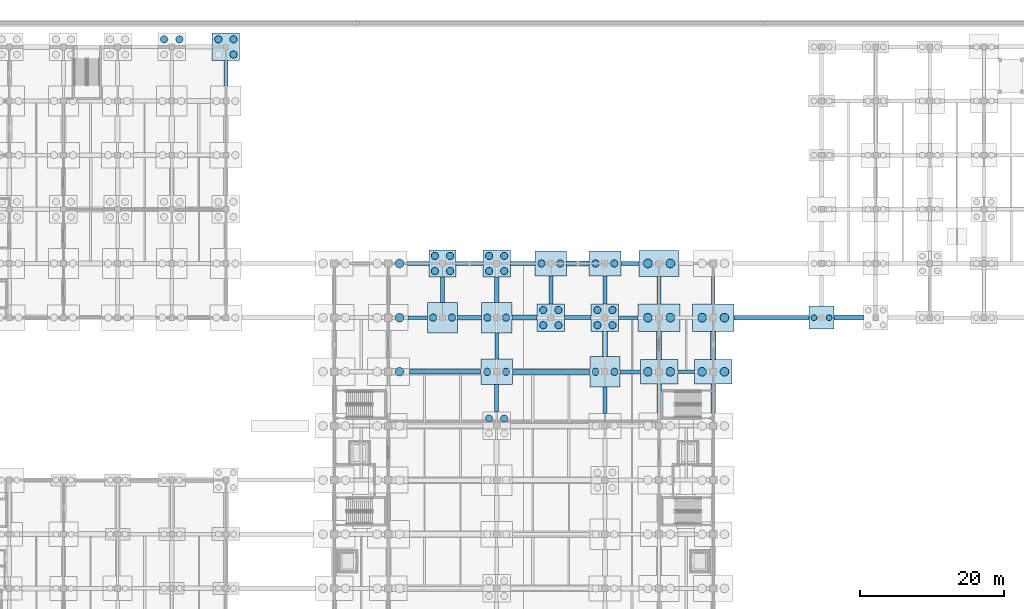
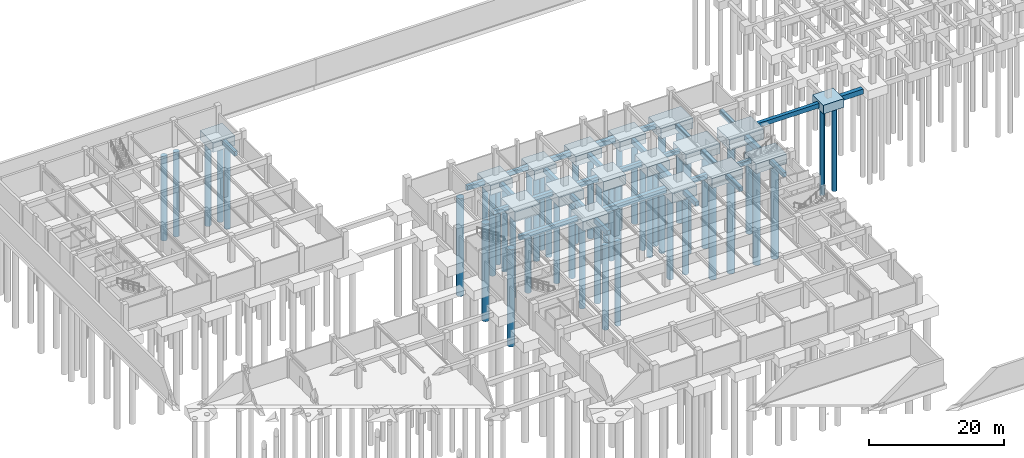
# One storey, part 8 of 38: 50 piles, 48 footings.
"""IFC4 building model written with IfcOpenShell, lengths in metres."""

import ifcopenshell
import ifcopenshell.guid

model = None  # the IFC model being written
_history = None  # IfcOwnerHistory: only IFC2X3 demands one
_inside = {}  # id of a spatial element -> (the spatial element, [elements in it])
_under = {}  # id of a project, library or spatial element -> (it, [spatial elements below it])
_declared = {}  # id of a project -> (the project, [libraries it declares])
_typed = {}  # id of a type object -> (the type object, [elements of that type])
_made_of = {}  # id of a material, layer set ... -> (it, [elements and type objects made of it])


def new_model(schema):
    """Start an empty IFC model of exactly this schema.

    Asked for "IFC4X3", IfcOpenShell would pick the latest addendum, in which some entities
    have other attributes; the version numbers below select the first issue.
    IFC2X3 requires an IfcOwnerHistory on every rooted entity: one is made here for all.
    """
    global model, _history
    if schema == "IFC4X3":
        model = ifcopenshell.file(schema_version=(4, 3, 0, 0))
    else:
        model = ifcopenshell.file(schema=schema)
    _inside.clear()
    _under.clear()
    _declared.clear()
    _typed.clear()
    _made_of.clear()
    _history = None
    if model.schema == "IFC2X3":
        org = make("IfcOrganization", Name="unknown")
        user = make(
            "IfcPersonAndOrganization",
            ThePerson=make("IfcPerson", FamilyName="unknown"),
            TheOrganization=org,
        )
        app = make(
            "IfcApplication",
            ApplicationDeveloper=org,
            Version="unknown",
            ApplicationFullName="unknown",
            ApplicationIdentifier="unknown",
        )
        _history = make(
            "IfcOwnerHistory",
            OwningUser=user,
            OwningApplication=app,
            ChangeAction="ADDED",
            CreationDate=0,
        )
    return model


def make(cls, **values):
    """One entity of the class cls with the attributes given. An attribute that is None is left unset."""
    return model.create_entity(
        cls, **{name: value for name, value in values.items() if value is not None}
    )


def rooted(cls, **values):
    """An entity with a GlobalId (a new one), such as an element, a storey or a relation."""
    return make(cls, GlobalId=ifcopenshell.guid.new(), OwnerHistory=_history, **values)


def si_unit(unit_type, name, prefix=None):
    """IfcSIUnit, for example si_unit("LENGTHUNIT", "METRE", prefix="MILLI")."""
    return make("IfcSIUnit", UnitType=unit_type, Prefix=prefix, Name=name)


def assignment(units):
    """IfcUnitAssignment: the units of a project."""
    return None if units is None else make("IfcUnitAssignment", Units=units)


def point(xyz):
    """IfcCartesianPoint."""
    return None if xyz is None else make("IfcCartesianPoint", Coordinates=xyz)


def direction(xyz):
    """IfcDirection."""
    return None if xyz is None else make("IfcDirection", DirectionRatios=xyz)


def frame(location, z_axis=None, x_axis=None):
    """IfcAxis2Placement3D, a coordinate frame: its origin and axes. An axis left out is left unset."""
    return make(
        "IfcAxis2Placement3D",
        Location=point(location),
        Axis=direction(z_axis),
        RefDirection=direction(x_axis),
    )


def frame_2d(location, x_axis=None):
    """IfcAxis2Placement2D, a coordinate frame in the plane: its origin and x axis."""
    return make(
        "IfcAxis2Placement2D", Location=point(location), RefDirection=direction(x_axis)
    )


def origin():
    """The frame at (0, 0, 0) with its axes left unset."""
    return frame((0.0, 0.0, 0.0))


def origin_2d():
    """The frame at (0, 0) in the plane with its x axis left unset."""
    return frame_2d((0.0, 0.0))


def place(relative_to, where):
    """IfcLocalPlacement: puts the frame where relative to a parent placement (None: the world)."""
    return make(
        "IfcLocalPlacement", PlacementRelTo=relative_to, RelativePlacement=where
    )


def context(
    kind, dimensions, precision=None, world=None, true_north=None, identifier=None
):
    """IfcGeometricRepresentationContext, for example the 3D "Model" context."""
    return make(
        "IfcGeometricRepresentationContext",
        ContextIdentifier=identifier,
        ContextType=kind,
        CoordinateSpaceDimension=dimensions,
        Precision=precision,
        WorldCoordinateSystem=world,
        TrueNorth=true_north,
    )


def subcontext(parent, identifier, kind, view, scale=None):
    """IfcGeometricRepresentationSubContext, for example "Body" below "Model"."""
    return make(
        "IfcGeometricRepresentationSubContext",
        ContextIdentifier=identifier,
        ContextType=kind,
        ParentContext=parent,
        TargetScale=scale,
        TargetView=view,
    )


def project(units=None, contexts=None):
    """IfcProject with its units and contexts."""
    return rooted(
        "IfcProject",
        Name="project",
        RepresentationContexts=contexts,
        UnitsInContext=assignment(units),
    )


def spatial(cls, under=None, at=None, **own):
    """A site, building, storey or space (cls), placed at a placement, below another one or the project."""
    s = rooted(cls, ObjectPlacement=at, **own)
    if under is not None:
        _under.setdefault(under.id(), (under, []))[1].append(s)
    return s


def polyline(points):
    """IfcPolyline through the points."""
    return make("IfcPolyline", Points=[point(p) for p in points])


def profile(cls, at=None, kind="AREA", **sizes):
    """A parametric profile (cls). Its sizes go by their IFC names, for example OverallWidth=200.0."""
    return make(cls, ProfileType=kind, Position=at, **sizes)


def rectangle(**sizes):
    """IfcRectangleProfileDef."""
    return profile("IfcRectangleProfileDef", **sizes)


def circle(**sizes):
    """IfcCircleProfileDef."""
    return profile("IfcCircleProfileDef", **sizes)


def outline(outer, holes=None, kind="AREA"):
    """IfcArbitraryClosedProfileDef: a profile drawn as a closed curve; with holes, ...WithVoids."""
    if holes is None:
        return make("IfcArbitraryClosedProfileDef", ProfileType=kind, OuterCurve=outer)
    return make(
        "IfcArbitraryProfileDefWithVoids",
        ProfileType=kind,
        OuterCurve=outer,
        InnerCurves=holes,
    )


def extrude(swept, where, along, depth):
    """IfcExtrudedAreaSolid: the profile swept, set in the frame where, extruded along a direction by depth."""
    return make(
        "IfcExtrudedAreaSolid",
        SweptArea=swept,
        Position=where,
        ExtrudedDirection=direction(along),
        Depth=depth,
    )


def shape(context_of_items, identifier, shape_type, items):
    """IfcShapeRepresentation: the items that make up one representation, for example the "Body"."""
    return make(
        "IfcShapeRepresentation",
        ContextOfItems=context_of_items,
        RepresentationIdentifier=identifier,
        RepresentationType=shape_type,
        Items=items,
    )


def material(Name=None, Category=None):
    """IfcMaterial."""
    return make("IfcMaterial", Name=Name, Category=Category)


def material_profile(
    of_material, cross_section, Name=None, Category=None, Priority=None
):
    """IfcMaterialProfile: a cross section and its material."""
    return make(
        "IfcMaterialProfile",
        Name=Name,
        Material=of_material,
        Profile=cross_section,
        Priority=Priority,
        Category=Category,
    )


def profile_set(profiles, Name=None, composite=None):
    """IfcMaterialProfileSet."""
    return make(
        "IfcMaterialProfileSet",
        Name=Name,
        MaterialProfiles=profiles,
        CompositeProfile=composite,
    )


def made_of(thing, what):
    """Note that an element or type object is made of a material, layer set ...; save() writes the relation."""
    if what is not None:
        _made_of.setdefault(what.id(), (what, []))[1].append(thing)
    return thing


def type_object(cls, material=None, **own):
    """A type object (cls), such as IfcWallType, which elements share."""
    return made_of(rooted(cls, **own), material)


def element(
    cls,
    number,
    at=None,
    inside=None,
    cuts=None,
    type_object=None,
    material=None,
    context=None,
    identifier="Body",
    shape_type=None,
    held_by="IfcProductDefinitionShape",
    body=None,
    shapes=None,
    **own,
):
    """One element of the class cls, such as IfcWall. Its Tag is "e" and its number.

    at: its placement. inside: the storey or other place that contains it. cuts: it is an
    opening in that element (IfcRelVoidsElement). A single representation is given by context,
    identifier, shape_type and body (its items); several are given by shapes. held_by: the class
    of the entity that holds the representations. save() writes the other relations.
    """
    e = rooted(cls, Tag="e%d" % number, ObjectPlacement=at, **own)
    if body is not None:
        shapes = [shape(context, identifier, shape_type, body)]
    if shapes is not None:
        e.Representation = make(held_by, Representations=shapes)
    if inside is not None:
        _inside.setdefault(inside.id(), (inside, []))[1].append(e)
    if cuts is not None:
        rooted(
            "IfcRelVoidsElement", RelatingBuildingElement=cuts, RelatedOpeningElement=e
        )
    if type_object is not None:
        _typed.setdefault(type_object.id(), (type_object, []))[1].append(e)
    return made_of(e, material)


def aggregate(whole, parts):
    """IfcRelAggregates: a whole, such as a stair, and the parts it consists of."""
    return rooted("IfcRelAggregates", RelatingObject=whole, RelatedObjects=parts)


def save(model, path):
    """Write the relations noted so far, then the file.

    IfcRelAggregates (storeys below a building ...), IfcRelContainedInSpatialStructure (elements
    in a storey), IfcRelDefinesByType, IfcRelAssociatesMaterial and IfcRelDeclares: one each for
    every whole, place, type object, material and project.
    """
    for whole, parts in _under.values():
        aggregate(whole, parts)
    for where, things in _inside.values():
        rooted(
            "IfcRelContainedInSpatialStructure",
            RelatedElements=things,
            RelatingStructure=where,
        )
    for kind, things in _typed.values():
        rooted("IfcRelDefinesByType", RelatedObjects=things, RelatingType=kind)
    for what, things in _made_of.values():
        rooted("IfcRelAssociatesMaterial", RelatedObjects=things, RelatingMaterial=what)
    for by, libraries in _declared.values():
        rooted("IfcRelDeclares", RelatingContext=by, RelatedDefinitions=libraries)
    model.write(path)


model = new_model("IFC4")

# Units and contexts
model_context = context("Model", 3, precision=1e-05, world=origin(), true_north=direction((0.0, 1.0)))
body_context = subcontext(model_context, "Body", "Model", "MODEL_VIEW")
ifc_project = project(units=[si_unit("LENGTHUNIT", "METRE"), si_unit("AREAUNIT", "SQUARE_METRE"), si_unit("VOLUMEUNIT", "CUBIC_METRE"), si_unit("PLANEANGLEUNIT", "RADIAN"), si_unit("MASSUNIT", "GRAM", prefix="KILO")], contexts=[model_context])

# Site, building, storey
site_placement = place(None, origin())
site = spatial("IfcSite", under=ifc_project, at=site_placement, CompositionType="ELEMENT")
building_placement = place(site_placement, origin())
building = spatial("IfcBuilding", under=site, at=building_placement, Name="Qasida Concert Hall", CompositionType="ELEMENT")
storey_placement = place(building_placement, frame((0.0, 0.0, -4.800048828125)))
storey = spatial("IfcBuildingStorey", under=building, at=storey_placement, Name="B1", CompositionType="ELEMENT", Elevation=-4.800048828125)

# Footings
ifc_material = material(Name="Concrete C40/50", Category="concrete")
footing_type_1 = type_object("IfcFootingType", Name="FT-GB-1", PredefinedType="FOOTING_BEAM", material=ifc_material)
footing_1_placement = place(storey_placement, frame((0.0, 0.0, -1.169921875)))
element("IfcFooting", 1, at=footing_1_placement, inside=storey, type_object=footing_type_1, Name="Ground tie beam GB-1 100", PredefinedType="FOOTING_BEAM", context=body_context, shape_type="SweptSolid", body=[
    extrude(outline(polyline([(100.10009765625, 67.25), (102.39990234375, 67.25), (102.39990234375, 67.75), (100.10009765625, 67.75), (100.10009765625, 67.25)])), origin(), (0.0, 0.0, 1.0), 0.75),
])
footing_2_placement = place(storey_placement, frame((0.0, 0.0, -1.169921875)))
element("IfcFooting", 2, at=footing_2_placement, inside=storey, type_object=footing_type_1, Name="Ground tie beam GB-1 108", PredefinedType="FOOTING_BEAM", context=body_context, shape_type="SweptSolid", body=[
    extrude(outline(polyline([(62.75, 74.75), (65.39990234375, 74.75), (65.39990234375, 75.25), (62.75, 75.25), (62.75, 74.75)])), origin(), (0.0, 0.0, 1.0), 0.75),
])
footing_3_placement = place(storey_placement, frame((0.0, 0.0, -1.169921875)))
element("IfcFooting", 3, at=footing_3_placement, inside=storey, type_object=footing_type_1, Name="Ground tie beam GB-1 112", PredefinedType="FOOTING_BEAM", context=body_context, shape_type="SweptSolid", body=[
    extrude(outline(polyline([(91.89990234375, 74.75), (94.60009765625, 74.75), (94.60009765625, 75.25), (91.89990234375, 75.25), (91.89990234375, 74.75)])), origin(), (0.0, 0.0, 1.0), 0.75),
])
footing_4_placement = place(storey_placement, frame((0.0, 0.0, -1.169921875)))
element("IfcFooting", 4, at=footing_4_placement, inside=storey, type_object=footing_type_1, Name="Ground tie beam GB-1 128", PredefinedType="FOOTING_BEAM", context=body_context, shape_type="SweptSolid", body=[
    extrude(outline(polyline([(69.39990234375, 82.25), (73.10009765625, 82.25), (73.10009765625, 82.75), (69.39990234375, 82.75), (69.39990234375, 82.25)])), origin(), (0.0, 0.0, 1.0), 0.75),
])
footing_5_placement = place(storey_placement, frame((0.0, 0.0, -1.169921875)))
element("IfcFooting", 5, at=footing_5_placement, inside=storey, type_object=footing_type_1, Name="Ground tie beam GB-1 280", PredefinedType="FOOTING_BEAM", context=body_context, shape_type="SweptSolid", body=[
    extrude(outline(polyline([(74.75, 69.25), (75.25, 69.25), (75.25, 72.89990234375), (74.75, 72.89990234375), (74.75, 69.25)])), origin(), (0.0, 0.0, 1.0), 0.75),
])
footing_type_2 = type_object("IfcFootingType", Name="FT-GB-2", PredefinedType="FOOTING_BEAM", material=ifc_material)
footing_6_placement = place(storey_placement, frame((0.0, 0.0, -1.219970703125)))
element("IfcFooting", 6, at=footing_6_placement, inside=storey, type_object=footing_type_2, Name="Ground tie beam GB-2 097", PredefinedType="FOOTING_BEAM", context=body_context, shape_type="SweptSolid", body=[
    extrude(outline(polyline([(62.89990234375, 67.199951171875), (72.800048828125, 67.199951171875), (72.800048828125, 67.800048828125), (62.89990234375, 67.800048828125), (62.89990234375, 67.199951171875)])), origin(), (0.0, 0.0, 1.0), 0.800048828125),
])
footing_7_placement = place(storey_placement, frame((0.0, 0.0, -1.219970703125)))
element("IfcFooting", 7, at=footing_7_placement, inside=storey, type_object=footing_type_2, Name="Ground tie beam GB-2 109", PredefinedType="FOOTING_BEAM", context=body_context, shape_type="SweptSolid", body=[
    extrude(outline(polyline([(69.60009765625, 74.699951171875), (72.89990234375, 74.699951171875), (72.89990234375, 75.300048828125), (69.60009765625, 75.300048828125), (69.60009765625, 74.699951171875)])), origin(), (0.0, 0.0, 1.0), 0.800048828125),
])
footing_8_placement = place(storey_placement, frame((0.0, 0.0, -1.219970703125)))
element("IfcFooting", 8, at=footing_8_placement, inside=storey, type_object=footing_type_2, Name="Ground tie beam GB-2 113", PredefinedType="FOOTING_BEAM", context=body_context, shape_type="SweptSolid", body=[
    extrude(outline(polyline([(107.89990234375, 74.699951171875), (118.25, 74.699951171875), (118.25, 75.300048828125), (107.89990234375, 75.300048828125), (107.89990234375, 74.699951171875)])), origin(), (0.0, 0.0, 1.0), 0.800048828125),
])
footing_9_placement = place(storey_placement, frame((0.0, 0.0, -1.219970703125)))
element("IfcFooting", 9, at=footing_9_placement, inside=storey, type_object=footing_type_2, Name="Ground tie beam GB-2 129", PredefinedType="FOOTING_BEAM", context=body_context, shape_type="SweptSolid", body=[
    extrude(outline(polyline([(76.89990234375, 82.199951171875), (80.300048828125, 82.199951171875), (80.300048828125, 82.800048828125), (76.89990234375, 82.800048828125), (76.89990234375, 82.199951171875)])), origin(), (0.0, 0.0, 1.0), 0.800048828125),
])
footing_10_placement = place(storey_placement, frame((0.0, 0.0, -1.219970703125)))
element("IfcFooting", 10, at=footing_10_placement, inside=storey, type_object=footing_type_2, Name="Ground tie beam GB-2 273", PredefinedType="FOOTING_BEAM", context=body_context, shape_type="SweptSolid", body=[
    extrude(outline(polyline([(67.199951171875, 77.10009765625), (67.800048828125, 77.10009765625), (67.800048828125, 80.60009765625), (67.199951171875, 80.60009765625), (67.199951171875, 77.10009765625)])), origin(), (0.0, 0.0, 1.0), 0.800048828125),
])
footing_11_placement = place(storey_placement, frame((0.0, 0.0, -1.219970703125)))
element("IfcFooting", 11, at=footing_11_placement, inside=storey, type_object=footing_type_2, Name="Ground tie beam GB-2 281", PredefinedType="FOOTING_BEAM", context=body_context, shape_type="SweptSolid", body=[
    extrude(outline(polyline([(74.699951171875, 77.10009765625), (75.300048828125, 77.10009765625), (75.300048828125, 80.60009765625), (74.699951171875, 80.60009765625), (74.699951171875, 77.10009765625)])), origin(), (0.0, 0.0, 1.0), 0.800048828125),
])
footing_12_placement = place(storey_placement, frame((0.0, 0.0, -1.219970703125)))
element("IfcFooting", 12, at=footing_12_placement, inside=storey, type_object=footing_type_2, Name="Ground tie beam GB-2 289", PredefinedType="FOOTING_BEAM", context=body_context, shape_type="SweptSolid", body=[
    extrude(outline(polyline([(89.699951171875, 61.75), (90.300048828125, 61.75), (90.300048828125, 65.39990234375), (89.699951171875, 65.39990234375), (89.699951171875, 61.75)])), origin(), (0.0, 0.0, 1.0), 0.800048828125),
])
footing_13_placement = place(storey_placement, frame((0.0, 0.0, -1.219970703125)))
element("IfcFooting", 13, at=footing_13_placement, inside=storey, type_object=footing_type_2, Name="Ground tie beam GB-2 297", PredefinedType="FOOTING_BEAM", context=body_context, shape_type="SweptSolid", body=[
    extrude(outline(polyline([(97.199951171875, 61.800048828125), (97.800048828125, 61.800048828125), (97.800048828125, 65.800048828125), (97.199951171875, 65.800048828125), (97.199951171875, 61.800048828125)])), origin(), (0.0, 0.0, 1.0), 0.800048828125),
])
footing_14_placement = place(storey_placement, frame((0.0, 0.0, -1.219970703125)))
element("IfcFooting", 14, at=footing_14_placement, inside=storey, type_object=footing_type_2, Name="Ground tie beam GB-2 305", PredefinedType="FOOTING_BEAM", context=body_context, shape_type="SweptSolid", body=[
    extrude(outline(polyline([(104.699951171875, 61.800048828125), (105.300048828125, 61.800048828125), (105.300048828125, 65.800048828125), (104.699951171875, 65.800048828125), (104.699951171875, 61.800048828125)])), origin(), (0.0, 0.0, 1.0), 0.800048828125),
])
footing_type_3 = type_object("IfcFootingType", Name="FT-GB-3", PredefinedType="FOOTING_BEAM", material=ifc_material)
footing_15_placement = place(storey_placement, frame((0.0, 0.0, -1.320068359375)))
element("IfcFooting", 15, at=footing_15_placement, inside=storey, type_object=footing_type_3, Name="Ground tie beam GB-3 098", PredefinedType="FOOTING_BEAM", context=body_context, shape_type="SweptSolid", body=[
    extrude(outline(polyline([(77.199951171875, 67.14990234375), (87.89990234375, 67.14990234375), (87.89990234375, 67.85009765625), (77.199951171875, 67.85009765625), (77.199951171875, 67.14990234375)])), origin(), (0.0, 0.0, 1.0), 0.900146484375),
])
footing_16_placement = place(storey_placement, frame((0.0, 0.0, -1.320068359375)))
element("IfcFooting", 16, at=footing_16_placement, inside=storey, type_object=footing_type_3, Name="Ground tie beam GB-3 110", PredefinedType="FOOTING_BEAM", context=body_context, shape_type="SweptSolid", body=[
    extrude(outline(polyline([(77.10009765625, 74.64990234375), (80.60009765625, 74.64990234375), (80.60009765625, 75.35009765625), (77.10009765625, 75.35009765625), (77.10009765625, 74.64990234375)])), origin(), (0.0, 0.0, 1.0), 0.900146484375),
])
footing_17_placement = place(storey_placement, frame((0.0, 0.0, -1.320068359375)))
element("IfcFooting", 17, at=footing_17_placement, inside=storey, type_object=footing_type_3, Name="Ground tie beam GB-3 114", PredefinedType="FOOTING_BEAM", context=body_context, shape_type="SweptSolid", body=[
    extrude(outline(polyline([(121.75, 74.64990234375), (125.800048828125, 74.64990234375), (125.800048828125, 75.35009765625), (121.75, 75.35009765625), (121.75, 74.64990234375)])), origin(), (0.0, 0.0, 1.0), 0.900146484375),
])
footing_18_placement = place(storey_placement, frame((0.0, 0.0, -1.320068359375)))
element("IfcFooting", 18, at=footing_18_placement, inside=storey, type_object=footing_type_3, Name="Ground tie beam GB-3 130", PredefinedType="FOOTING_BEAM", context=body_context, shape_type="SweptSolid", body=[
    extrude(outline(polyline([(84.699951171875, 82.14990234375), (87.800048828125, 82.14990234375), (87.800048828125, 82.85009765625), (84.699951171875, 82.85009765625), (84.699951171875, 82.14990234375)])), origin(), (0.0, 0.0, 1.0), 0.900146484375),
])
footing_19_placement = place(storey_placement, frame((0.0, 0.0, -1.320068359375)))
element("IfcFooting", 19, at=footing_19_placement, inside=storey, type_object=footing_type_3, Name="Ground tie beam GB-3 290", PredefinedType="FOOTING_BEAM", context=body_context, shape_type="SweptSolid", body=[
    extrude(outline(polyline([(89.64990234375, 69.60009765625), (90.35009765625, 69.60009765625), (90.35009765625, 73.10009765625), (89.64990234375, 73.10009765625), (89.64990234375, 69.60009765625)])), origin(), (0.0, 0.0, 1.0), 0.900146484375),
])
footing_20_placement = place(storey_placement, frame((0.0, 0.0, -1.320068359375)))
element("IfcFooting", 20, at=footing_20_placement, inside=storey, type_object=footing_type_3, Name="Ground tie beam GB-3 298", PredefinedType="FOOTING_BEAM", context=body_context, shape_type="SweptSolid", body=[
    extrude(outline(polyline([(97.14990234375, 69.199951171875), (97.85009765625, 69.199951171875), (97.85009765625, 73.10009765625), (97.14990234375, 73.10009765625), (97.14990234375, 69.199951171875)])), origin(), (0.0, 0.0, 1.0), 0.900146484375),
])
footing_21_placement = place(storey_placement, frame((0.0, 0.0, -1.320068359375)))
element("IfcFooting", 21, at=footing_21_placement, inside=storey, type_object=footing_type_3, Name="Ground tie beam GB-3 306", PredefinedType="FOOTING_BEAM", context=body_context, shape_type="SweptSolid", body=[
    extrude(outline(polyline([(104.64990234375, 69.199951171875), (105.35009765625, 69.199951171875), (105.35009765625, 73.10009765625), (104.64990234375, 73.10009765625), (104.64990234375, 69.199951171875)])), origin(), (0.0, 0.0, 1.0), 0.900146484375),
])
footing_type_4 = type_object("IfcFootingType", Name="FT-GB-4", PredefinedType="FOOTING_BEAM", material=ifc_material)
footing_22_placement = place(storey_placement, frame((0.0, 0.0, -1.27001953125)))
element("IfcFooting", 22, at=footing_22_placement, inside=storey, type_object=footing_type_4, Name="Ground tie beam GB-4 099", PredefinedType="FOOTING_BEAM", context=body_context, shape_type="SweptSolid", body=[
    extrude(outline(polyline([(92.10009765625, 67.22509765625), (94.89990234375, 67.22509765625), (94.89990234375, 67.77490234375), (92.10009765625, 67.77490234375), (92.10009765625, 67.22509765625)])), origin(), (0.0, 0.0, 1.0), 0.85009765625),
])
footing_23_placement = place(storey_placement, frame((0.0, 0.0, -1.27001953125)))
element("IfcFooting", 23, at=footing_23_placement, inside=storey, type_object=footing_type_4, Name="Ground tie beam GB-4 111", PredefinedType="FOOTING_BEAM", context=body_context, shape_type="SweptSolid", body=[
    extrude(outline(polyline([(84.39990234375, 74.72509765625), (88.10009765625, 74.72509765625), (88.10009765625, 75.27490234375), (84.39990234375, 75.27490234375), (84.39990234375, 74.72509765625)])), origin(), (0.0, 0.0, 1.0), 0.85009765625),
])
footing_24_placement = place(storey_placement, frame((0.0, 0.0, -1.27001953125)))
element("IfcFooting", 24, at=footing_24_placement, inside=storey, type_object=footing_type_4, Name="Ground tie beam GB-4 127", PredefinedType="FOOTING_BEAM", context=body_context, shape_type="SweptSolid", body=[
    extrude(outline(polyline([(62.60009765625, 82.22509765625), (65.60009765625, 82.22509765625), (65.60009765625, 82.77490234375), (62.60009765625, 82.77490234375), (62.60009765625, 82.22509765625)])), origin(), (0.0, 0.0, 1.0), 0.85009765625),
])
footing_25_placement = place(storey_placement, frame((0.0, 0.0, -1.27001953125)))
element("IfcFooting", 25, at=footing_25_placement, inside=storey, type_object=footing_type_4, Name="Ground tie beam GB-4 131", PredefinedType="FOOTING_BEAM", context=body_context, shape_type="SweptSolid", body=[
    extrude(outline(polyline([(92.199951171875, 82.22509765625), (94.75, 82.22509765625), (94.75, 82.77490234375), (92.199951171875, 82.77490234375), (92.199951171875, 82.22509765625)])), origin(), (0.0, 0.0, 1.0), 0.85009765625),
])
footing_26_placement = place(storey_placement, frame((0.0, 0.0, -1.27001953125)))
element("IfcFooting", 26, at=footing_26_placement, inside=storey, type_object=footing_type_4, Name="Ground tie beam GB-4 255", PredefinedType="FOOTING_BEAM", context=body_context, shape_type="SweptSolid", body=[
    extrude(outline(polyline([(37.22509765625, 107.10009765625), (37.77490234375, 107.10009765625), (37.77490234375, 110.60009765625), (37.22509765625, 110.60009765625), (37.22509765625, 107.10009765625)])), origin(), (0.0, 0.0, 1.0), 0.85009765625),
])
footing_27_placement = place(storey_placement, frame((0.0, 0.0, -1.27001953125)))
element("IfcFooting", 27, at=footing_27_placement, inside=storey, type_object=footing_type_4, Name="Ground tie beam GB-4 279", PredefinedType="FOOTING_BEAM", context=body_context, shape_type="SweptSolid", body=[
    extrude(outline(polyline([(74.72509765625, 61.89990234375), (75.27490234375, 61.89990234375), (75.27490234375, 65.75), (74.72509765625, 65.75), (74.72509765625, 61.89990234375)])), origin(), (0.0, 0.0, 1.0), 0.85009765625),
])
footing_28_placement = place(storey_placement, frame((0.0, 0.0, -1.27001953125)))
element("IfcFooting", 28, at=footing_28_placement, inside=storey, type_object=footing_type_4, Name="Ground tie beam GB-4 283", PredefinedType="FOOTING_BEAM", context=body_context, shape_type="SweptSolid", body=[
    extrude(outline(polyline([(82.22509765625, 76.89990234375), (82.77490234375, 76.89990234375), (82.77490234375, 80.75), (82.22509765625, 80.75), (82.22509765625, 76.89990234375)])), origin(), (0.0, 0.0, 1.0), 0.85009765625),
])
footing_29_placement = place(storey_placement, frame((0.0, 0.0, -1.27001953125)))
element("IfcFooting", 29, at=footing_29_placement, inside=storey, type_object=footing_type_4, Name="Ground tie beam GB-4 291", PredefinedType="FOOTING_BEAM", context=body_context, shape_type="SweptSolid", body=[
    extrude(outline(polyline([(89.72509765625, 76.89990234375), (90.27490234375, 76.89990234375), (90.27490234375, 80.75), (89.72509765625, 80.75), (89.72509765625, 76.89990234375)])), origin(), (0.0, 0.0, 1.0), 0.85009765625),
])
footing_30_placement = place(storey_placement, frame((0.0, 0.0, -1.27001953125)))
element("IfcFooting", 30, at=footing_30_placement, inside=storey, type_object=footing_type_4, Name="Ground tie beam GB-4 299", PredefinedType="FOOTING_BEAM", context=body_context, shape_type="SweptSolid", body=[
    extrude(outline(polyline([(97.22509765625, 76.89990234375), (97.77490234375, 76.89990234375), (97.77490234375, 80.699951171875), (97.22509765625, 80.699951171875), (97.22509765625, 76.89990234375)])), origin(), (0.0, 0.0, 1.0), 0.85009765625),
])
footing_31_placement = place(storey_placement, frame((0.0, 0.0, -1.27001953125)))
element("IfcFooting", 31, at=footing_31_placement, inside=storey, type_object=footing_type_4, Name="Ground tie beam GB-4 307", PredefinedType="FOOTING_BEAM", context=body_context, shape_type="SweptSolid", body=[
    extrude(outline(polyline([(104.72509765625, 76.89990234375), (105.27490234375, 76.89990234375), (105.27490234375, 80.699951171875), (104.72509765625, 80.699951171875), (104.72509765625, 76.89990234375)])), origin(), (0.0, 0.0, 1.0), 0.85009765625),
])
footing_type_5 = type_object("IfcFootingType", Name="FT-PC-3B", PredefinedType="PILE_CAP", material=ifc_material)
footing_32_placement = place(storey_placement, frame((120.0, 75.0, -1.5498046875), z_axis=(0.0, 0.0, 1.0), x_axis=(1.0, 0.0, 0.0)))
element("IfcFooting", 32, at=footing_32_placement, inside=storey, type_object=footing_type_5, Name="Pile cap PC-3B 137", PredefinedType="PILE_CAP", context=body_context, shape_type="SweptSolid", body=[
    extrude(rectangle(XDim=3.5, YDim=3.199951171875, at=origin_2d()), origin(), (0.0, 0.0, 1.0), 1.550048828125),
])
footing_type_6 = type_object("IfcFootingType", Name="FT-PC-4C", PredefinedType="PILE_CAP", material=ifc_material)
for number, where, z_axis, x_axis, name in (
    (33, (67.5, 82.5, -2.1201171875), (0.0, 0.0, 1.0), (1.0, 0.0, 0.0), "Pile cap PC-4C 022"),
    (34, (75.0, 82.5, -2.1201171875), (0.0, 0.0, 1.0), (1.0, 0.0, 0.0), "Pile cap PC-4C 031"),
    (35, (82.5, 75.0, -2.1201171875), (0.0, 0.0, 1.0), (1.0, 0.0, 0.0), "Pile cap PC-4C 034"),
    (36, (90.0, 75.0, -2.1201171875), (0.0, 0.0, 1.0), (1.0, 0.0, 0.0), "Pile cap PC-4C 043"),
    (37, (37.5, 112.5, -2.1201171875), (0.0, 0.0, 1.0), (1.0, 0.0, 0.0), "Pile cap PC-4C 214"),
):
    element("IfcFooting", number, at=place(storey_placement, frame(where, z_axis=z_axis, x_axis=x_axis)), inside=storey, type_object=footing_type_6, Name=name, PredefinedType="PILE_CAP", context=body_context, shape_type="SweptSolid", body=[
        extrude(rectangle(XDim=3.800048828125, YDim=3.800048828125, at=origin_2d()), origin(), (0.0, 0.0, 1.0), 1.699951171875),
    ])
footing_type_7 = type_object("IfcFootingType", Name="FT-PC-4D", PredefinedType="PILE_CAP", material=ifc_material)
for number, where, z_axis, x_axis, name in (
    (38, (67.5, 75.0, -2.22021484375), (0.0, 0.0, 1.0), (1.0, 0.0, 0.0), "Pile cap PC-4D 021"),
    (39, (75.0, 75.0, -2.22021484375), (0.0, 0.0, 1.0), (1.0, 0.0, 0.0), "Pile cap PC-4D 030"),
    (40, (90.0, 67.5, -2.22021484375), (0.0, 0.0, 1.0), (1.0, 0.0, 0.0), "Pile cap PC-4D 042"),
):
    element("IfcFooting", number, at=place(storey_placement, frame(where, z_axis=z_axis, x_axis=x_axis)), inside=storey, type_object=footing_type_7, Name=name, PredefinedType="PILE_CAP", context=body_context, shape_type="SweptSolid", body=[
        extrude(rectangle(XDim=4.199951171875, YDim=4.199951171875, at=origin_2d()), origin(), (0.0, 0.0, 1.0), 1.800048828125),
    ])
footing_type_8 = type_object("IfcFootingType", Name="FT-PC-4F", PredefinedType="PILE_CAP", material=ifc_material)
for number, where, z_axis, x_axis, name in (
    (41, (75.0, 67.5, -2.1201171875), (0.0, 0.0, 1.0), (1.0, 0.0, 0.0), "Pile cap PC-4F 029"),
    (42, (82.5, 82.5, -2.1201171875), (0.0, 0.0, 1.0), (1.0, 0.0, 0.0), "Pile cap PC-4F 035"),
    (43, (90.0, 82.5, -2.1201171875), (0.0, 0.0, 1.0), (1.0, 0.0, 0.0), "Pile cap PC-4F 044"),
):
    element("IfcFooting", number, at=place(storey_placement, frame(where, z_axis=z_axis, x_axis=x_axis)), inside=storey, type_object=footing_type_8, Name=name, PredefinedType="PILE_CAP", context=body_context, shape_type="SweptSolid", body=[
        extrude(rectangle(XDim=4.39990234375, YDim=3.5, at=origin_2d()), origin(), (0.0, 0.0, 1.0), 1.699951171875),
    ])
footing_type_9 = type_object("IfcFootingType", Name="FT-PC-6A", PredefinedType="PILE_CAP", material=ifc_material)
for number, where, z_axis, x_axis, name in (
    (44, (97.5, 67.5, -2.169921875), (0.0, 0.0, 1.0), (1.0, 0.0, 0.0), "Pile cap PC-6A 051"),
    (45, (105.0, 67.5, -2.169921875), (0.0, 0.0, 1.0), (1.0, 0.0, 0.0), "Pile cap PC-6A 060"),
):
    element("IfcFooting", number, at=place(storey_placement, frame(where, z_axis=z_axis, x_axis=x_axis)), inside=storey, type_object=footing_type_9, Name=name, PredefinedType="PILE_CAP", context=body_context, shape_type="SweptSolid", body=[
        extrude(rectangle(XDim=5.199951171875, YDim=3.39990234375, at=origin_2d()), origin(), (0.0, 0.0, 1.0), 1.75),
    ])
footing_type_10 = type_object("IfcFootingType", Name="FT-PC-6B", PredefinedType="PILE_CAP", material=ifc_material)
for number, where, z_axis, x_axis, name in (
    (46, (97.5, 75.0, -2.27001953125), (0.0, 0.0, 1.0), (1.0, 0.0, 0.0), "Pile cap PC-6B 052"),
    (47, (105.0, 75.0, -2.27001953125), (0.0, 0.0, 1.0), (1.0, 0.0, 0.0), "Pile cap PC-6B 061"),
):
    element("IfcFooting", number, at=place(storey_placement, frame(where, z_axis=z_axis, x_axis=x_axis)), inside=storey, type_object=footing_type_10, Name=name, PredefinedType="PILE_CAP", context=body_context, shape_type="SweptSolid", body=[
        extrude(rectangle(XDim=5.800048828125, YDim=3.800048828125, at=origin_2d()), origin(), (0.0, 0.0, 1.0), 1.85009765625),
    ])
footing_type_11 = type_object("IfcFootingType", Name="FT-PC-6C", PredefinedType="PILE_CAP", material=ifc_material)
footing_33_placement = place(storey_placement, frame((97.5, 82.5, -2.22021484375), z_axis=(0.0, 0.0, 1.0), x_axis=(1.0, 0.0, 0.0)))
element("IfcFooting", 48, at=footing_33_placement, inside=storey, type_object=footing_type_11, Name="Pile cap PC-6C 053", PredefinedType="PILE_CAP", context=body_context, shape_type="SweptSolid", body=[
    extrude(rectangle(XDim=5.5, YDim=3.60009765625, at=origin_2d()), origin(), (0.0, 0.0, 1.0), 1.800048828125),
])

# Piles
ifc_material_profile_1 = material_profile(ifc_material, circle(Radius=0.5, at=origin_2d()), Name="BORED PILE D1000")
ifc_profile_set_1 = profile_set([ifc_material_profile_1], Name="Concrete C40/50")
pile_type_1 = type_object("IfcPileType", Name="PL-BORED-1000", PredefinedType="BORED", material=ifc_profile_set_1)
for number, where, z_axis, x_axis, name in (
    (49, (66.199951171875, 75.0, -2.119873046875), (0.0, 0.0, -1.0), (1.0, 0.0, 0.0), "Bored pile 0043"),
    (50, (68.800048828125, 75.0, -2.119873046875), (0.0, 0.0, -1.0), (1.0, 0.0, 0.0), "Bored pile 0044"),
):
    element("IfcPile", number, at=place(storey_placement, frame(where, z_axis=z_axis, x_axis=x_axis)), inside=storey, type_object=pile_type_1, Name=name, PredefinedType="BORED", context=body_context, shape_type="SweptSolid", body=[
        extrude(circle(Radius=0.5, at=origin_2d()), origin(), (0.0, 0.0, 1.0), 15.080078125),
    ])
for number, where, z_axis, x_axis, name in (
    (51, (66.449951171875, 81.449951171875, -2.02001953125), (0.0, 0.0, -1.0), (1.0, 0.0, 0.0), "Bored pile 0045"),
    (52, (68.550048828125, 81.449951171875, -2.02001953125), (0.0, 0.0, -1.0), (1.0, 0.0, 0.0), "Bored pile 0046"),
    (53, (66.449951171875, 83.550048828125, -2.02001953125), (0.0, 0.0, -1.0), (1.0, 0.0, 0.0), "Bored pile 0047"),
    (54, (68.550048828125, 83.550048828125, -2.02001953125), (0.0, 0.0, -1.0), (1.0, 0.0, 0.0), "Bored pile 0048"),
    (55, (73.949951171875, 61.050048828125, -2.02001953125), (0.0, 0.0, -1.0), (1.0, 0.0, 0.0), "Bored pile 0063"),
    (56, (76.050048828125, 61.050048828125, -2.02001953125), (0.0, 0.0, -1.0), (1.0, 0.0, 0.0), "Bored pile 0064"),
    (57, (73.699951171875, 67.5, -2.02001953125), (0.0, 0.0, -1.0), (1.0, 0.0, 0.0), "Bored pile 0065"),
    (58, (76.300048828125, 67.5, -2.02001953125), (0.0, 0.0, -1.0), (1.0, 0.0, 0.0), "Bored pile 0066"),
):
    element("IfcPile", number, at=place(storey_placement, frame(where, z_axis=z_axis, x_axis=x_axis)), inside=storey, type_object=pile_type_1, Name=name, PredefinedType="BORED", context=body_context, shape_type="SweptSolid", body=[
        extrude(circle(Radius=0.5, at=origin_2d()), origin(), (0.0, 0.0, 1.0), 15.179931640625),
    ])
for number, where, z_axis, x_axis, name in (
    (59, (73.699951171875, 75.0, -2.119873046875), (0.0, 0.0, -1.0), (1.0, 0.0, 0.0), "Bored pile 0067"),
    (60, (76.300048828125, 75.0, -2.119873046875), (0.0, 0.0, -1.0), (1.0, 0.0, 0.0), "Bored pile 0068"),
):
    element("IfcPile", number, at=place(storey_placement, frame(where, z_axis=z_axis, x_axis=x_axis)), inside=storey, type_object=pile_type_1, Name=name, PredefinedType="BORED", context=body_context, shape_type="SweptSolid", body=[
        extrude(circle(Radius=0.5, at=origin_2d()), origin(), (0.0, 0.0, 1.0), 15.080078125),
    ])
for number, where, z_axis, x_axis, name in (
    (61, (73.949951171875, 81.449951171875, -2.02001953125), (0.0, 0.0, -1.0), (1.0, 0.0, 0.0), "Bored pile 0069"),
    (62, (76.050048828125, 81.449951171875, -2.02001953125), (0.0, 0.0, -1.0), (1.0, 0.0, 0.0), "Bored pile 0070"),
    (63, (73.949951171875, 83.550048828125, -2.02001953125), (0.0, 0.0, -1.0), (1.0, 0.0, 0.0), "Bored pile 0071"),
    (64, (76.050048828125, 83.550048828125, -2.02001953125), (0.0, 0.0, -1.0), (1.0, 0.0, 0.0), "Bored pile 0072"),
    (65, (81.449951171875, 73.949951171875, -2.02001953125), (0.0, 0.0, -1.0), (1.0, 0.0, 0.0), "Bored pile 0077"),
    (66, (83.550048828125, 73.949951171875, -2.02001953125), (0.0, 0.0, -1.0), (1.0, 0.0, 0.0), "Bored pile 0078"),
    (67, (81.449951171875, 76.050048828125, -2.02001953125), (0.0, 0.0, -1.0), (1.0, 0.0, 0.0), "Bored pile 0079"),
    (68, (83.550048828125, 76.050048828125, -2.02001953125), (0.0, 0.0, -1.0), (1.0, 0.0, 0.0), "Bored pile 0080"),
    (69, (81.199951171875, 82.5, -2.02001953125), (0.0, 0.0, -1.0), (1.0, 0.0, 0.0), "Bored pile 0081"),
    (70, (83.800048828125, 82.5, -2.02001953125), (0.0, 0.0, -1.0), (1.0, 0.0, 0.0), "Bored pile 0082"),
):
    element("IfcPile", number, at=place(storey_placement, frame(where, z_axis=z_axis, x_axis=x_axis)), inside=storey, type_object=pile_type_1, Name=name, PredefinedType="BORED", context=body_context, shape_type="SweptSolid", body=[
        extrude(circle(Radius=0.5, at=origin_2d()), origin(), (0.0, 0.0, 1.0), 15.179931640625),
    ])
for number, where, z_axis, x_axis, name in (
    (71, (88.699951171875, 67.5, -2.119873046875), (0.0, 0.0, -1.0), (1.0, 0.0, 0.0), "Bored pile 0099"),
    (72, (91.300048828125, 67.5, -2.119873046875), (0.0, 0.0, -1.0), (1.0, 0.0, 0.0), "Bored pile 0100"),
):
    element("IfcPile", number, at=place(storey_placement, frame(where, z_axis=z_axis, x_axis=x_axis)), inside=storey, type_object=pile_type_1, Name=name, PredefinedType="BORED", context=body_context, shape_type="SweptSolid", body=[
        extrude(circle(Radius=0.5, at=origin_2d()), origin(), (0.0, 0.0, 1.0), 15.080078125),
    ])
for number, where, z_axis, x_axis, name in (
    (73, (88.949951171875, 73.949951171875, -2.02001953125), (0.0, 0.0, -1.0), (1.0, 0.0, 0.0), "Bored pile 0101"),
    (74, (91.050048828125, 73.949951171875, -2.02001953125), (0.0, 0.0, -1.0), (1.0, 0.0, 0.0), "Bored pile 0102"),
    (75, (88.949951171875, 76.050048828125, -2.02001953125), (0.0, 0.0, -1.0), (1.0, 0.0, 0.0), "Bored pile 0103"),
    (76, (91.050048828125, 76.050048828125, -2.02001953125), (0.0, 0.0, -1.0), (1.0, 0.0, 0.0), "Bored pile 0104"),
    (77, (88.699951171875, 82.5, -2.02001953125), (0.0, 0.0, -1.0), (1.0, 0.0, 0.0), "Bored pile 0105"),
    (78, (91.300048828125, 82.5, -2.02001953125), (0.0, 0.0, -1.0), (1.0, 0.0, 0.0), "Bored pile 0106"),
    (79, (28.949951171875, 113.550048828125, -2.02001953125), (0.0, 0.0, -1.0), (1.0, 0.0, 0.0), "Bored pile 0487"),
    (80, (31.050048828125, 113.550048828125, -2.02001953125), (0.0, 0.0, -1.0), (1.0, 0.0, 0.0), "Bored pile 0488"),
    (81, (38.550048828125, 111.449951171875, -2.02001953125), (0.0, 0.0, -1.0), (1.0, 0.0, 0.0), "Bored pile 0502"),
    (82, (36.449951171875, 113.550048828125, -2.02001953125), (0.0, 0.0, -1.0), (1.0, 0.0, 0.0), "Bored pile 0503"),
    (83, (38.550048828125, 113.550048828125, -2.02001953125), (0.0, 0.0, -1.0), (1.0, 0.0, 0.0), "Bored pile 0504"),
):
    element("IfcPile", number, at=place(storey_placement, frame(where, z_axis=z_axis, x_axis=x_axis)), inside=storey, type_object=pile_type_1, Name=name, PredefinedType="BORED", context=body_context, shape_type="SweptSolid", body=[
        extrude(circle(Radius=0.5, at=origin_2d()), origin(), (0.0, 0.0, 1.0), 15.179931640625),
    ])
ifc_material_profile_2 = material_profile(ifc_material, circle(Radius=0.60009765625, at=origin_2d()), Name="BORED PILE D1200")
ifc_profile_set_2 = profile_set([ifc_material_profile_2], Name="Concrete C40/50")
pile_type_2 = type_object("IfcPileType", Name="PL-BORED-1200", PredefinedType="BORED", material=ifc_profile_set_2)
pile_1_placement = place(storey_placement, frame((61.550048828125, 67.5, -2.169921875), z_axis=(0.0, 0.0, -1.0), x_axis=(1.0, 0.0, 0.0)))
element("IfcPile", 84, at=pile_1_placement, inside=storey, type_object=pile_type_2, Name="Bored pile 0032", PredefinedType="BORED", context=body_context, shape_type="SweptSolid", body=[
    extrude(circle(Radius=0.60009765625, at=origin_2d()), origin(), (0.0, 0.0, 1.0), 17.530029296875),
])
pile_2_placement = place(storey_placement, frame((61.550048828125, 75.0, -2.119873046875), z_axis=(0.0, 0.0, -1.0), x_axis=(1.0, 0.0, 0.0)))
element("IfcPile", 85, at=pile_2_placement, inside=storey, type_object=pile_type_2, Name="Bored pile 0034", PredefinedType="BORED", context=body_context, shape_type="SweptSolid", body=[
    extrude(circle(Radius=0.60009765625, at=origin_2d()), origin(), (0.0, 0.0, 1.0), 17.580078125),
])
for number, where, z_axis, x_axis, name in (
    (86, (61.550048828125, 82.5, -2.070068359375), (0.0, 0.0, -1.0), (1.0, 0.0, 0.0), "Bored pile 0036"),
    (87, (95.949951171875, 67.5, -2.070068359375), (0.0, 0.0, -1.0), (1.0, 0.0, 0.0), "Bored pile 0119"),
    (88, (99.050048828125, 67.5, -2.070068359375), (0.0, 0.0, -1.0), (1.0, 0.0, 0.0), "Bored pile 0120"),
):
    element("IfcPile", number, at=place(storey_placement, frame(where, z_axis=z_axis, x_axis=x_axis)), inside=storey, type_object=pile_type_2, Name=name, PredefinedType="BORED", context=body_context, shape_type="SweptSolid", body=[
        extrude(circle(Radius=0.60009765625, at=origin_2d()), origin(), (0.0, 0.0, 1.0), 17.6298828125),
    ])
for number, where, z_axis, x_axis, name in (
    (89, (95.949951171875, 75.0, -2.169921875), (0.0, 0.0, -1.0), (1.0, 0.0, 0.0), "Bored pile 0121"),
    (90, (99.050048828125, 75.0, -2.169921875), (0.0, 0.0, -1.0), (1.0, 0.0, 0.0), "Bored pile 0122"),
):
    element("IfcPile", number, at=place(storey_placement, frame(where, z_axis=z_axis, x_axis=x_axis)), inside=storey, type_object=pile_type_2, Name=name, PredefinedType="BORED", context=body_context, shape_type="SweptSolid", body=[
        extrude(circle(Radius=0.60009765625, at=origin_2d()), origin(), (0.0, 0.0, 1.0), 17.530029296875),
    ])
for number, where, z_axis, x_axis, name in (
    (91, (95.949951171875, 82.5, -2.119873046875), (0.0, 0.0, -1.0), (1.0, 0.0, 0.0), "Bored pile 0123"),
    (92, (99.050048828125, 82.5, -2.119873046875), (0.0, 0.0, -1.0), (1.0, 0.0, 0.0), "Bored pile 0124"),
):
    element("IfcPile", number, at=place(storey_placement, frame(where, z_axis=z_axis, x_axis=x_axis)), inside=storey, type_object=pile_type_2, Name=name, PredefinedType="BORED", context=body_context, shape_type="SweptSolid", body=[
        extrude(circle(Radius=0.60009765625, at=origin_2d()), origin(), (0.0, 0.0, 1.0), 17.580078125),
    ])
for number, where, z_axis, x_axis, name in (
    (93, (103.449951171875, 67.5, -2.070068359375), (0.0, 0.0, -1.0), (1.0, 0.0, 0.0), "Bored pile 0137"),
    (94, (106.550048828125, 67.5, -2.070068359375), (0.0, 0.0, -1.0), (1.0, 0.0, 0.0), "Bored pile 0138"),
):
    element("IfcPile", number, at=place(storey_placement, frame(where, z_axis=z_axis, x_axis=x_axis)), inside=storey, type_object=pile_type_2, Name=name, PredefinedType="BORED", context=body_context, shape_type="SweptSolid", body=[
        extrude(circle(Radius=0.60009765625, at=origin_2d()), origin(), (0.0, 0.0, 1.0), 17.6298828125),
    ])
for number, where, z_axis, x_axis, name in (
    (95, (103.449951171875, 75.0, -2.169921875), (0.0, 0.0, -1.0), (1.0, 0.0, 0.0), "Bored pile 0139"),
    (96, (106.550048828125, 75.0, -2.169921875), (0.0, 0.0, -1.0), (1.0, 0.0, 0.0), "Bored pile 0140"),
):
    element("IfcPile", number, at=place(storey_placement, frame(where, z_axis=z_axis, x_axis=x_axis)), inside=storey, type_object=pile_type_2, Name=name, PredefinedType="BORED", context=body_context, shape_type="SweptSolid", body=[
        extrude(circle(Radius=0.60009765625, at=origin_2d()), origin(), (0.0, 0.0, 1.0), 17.530029296875),
    ])
ifc_material_profile_3 = material_profile(ifc_material, circle(Radius=0.39990234375, at=origin_2d()), Name="BORED PILE D800")
ifc_profile_set_3 = profile_set([ifc_material_profile_3], Name="Concrete C40/50")
pile_type_3 = type_object("IfcPileType", Name="PL-BORED-800", PredefinedType="BORED", material=ifc_profile_set_3)
for number, where, z_axis, x_axis, name in (
    (97, (118.949951171875, 75.0, -1.449951171875), (0.0, 0.0, -1.0), (1.0, 0.0, 0.0), "Bored pile 0313"),
    (98, (121.050048828125, 75.0, -1.449951171875), (0.0, 0.0, -1.0), (1.0, 0.0, 0.0), "Bored pile 0314"),
):
    element("IfcPile", number, at=place(storey_placement, frame(where, z_axis=z_axis, x_axis=x_axis)), inside=storey, type_object=pile_type_3, Name=name, PredefinedType="BORED", context=body_context, shape_type="SweptSolid", body=[
        extrude(circle(Radius=0.39990234375, at=origin_2d()), origin(), (0.0, 0.0, 1.0), 15.75),
    ])

save(model, "model.ifc")
